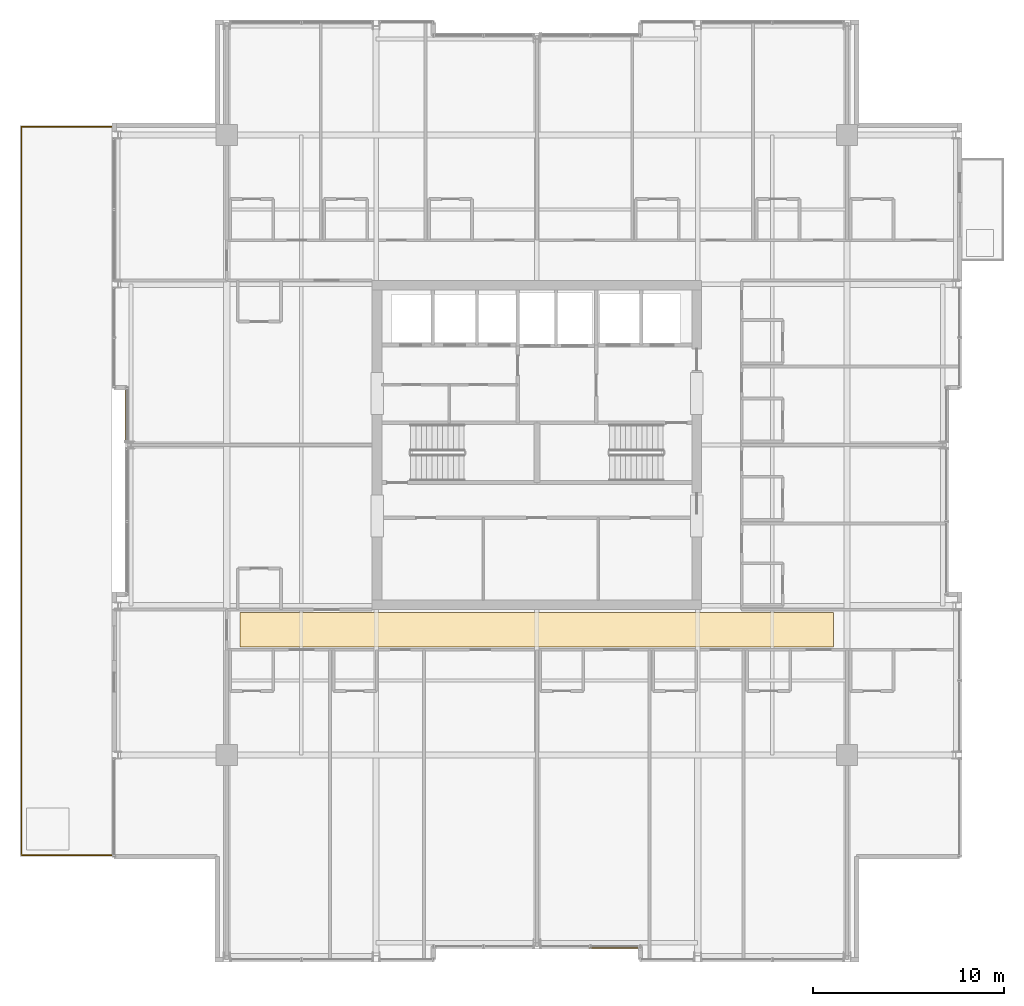
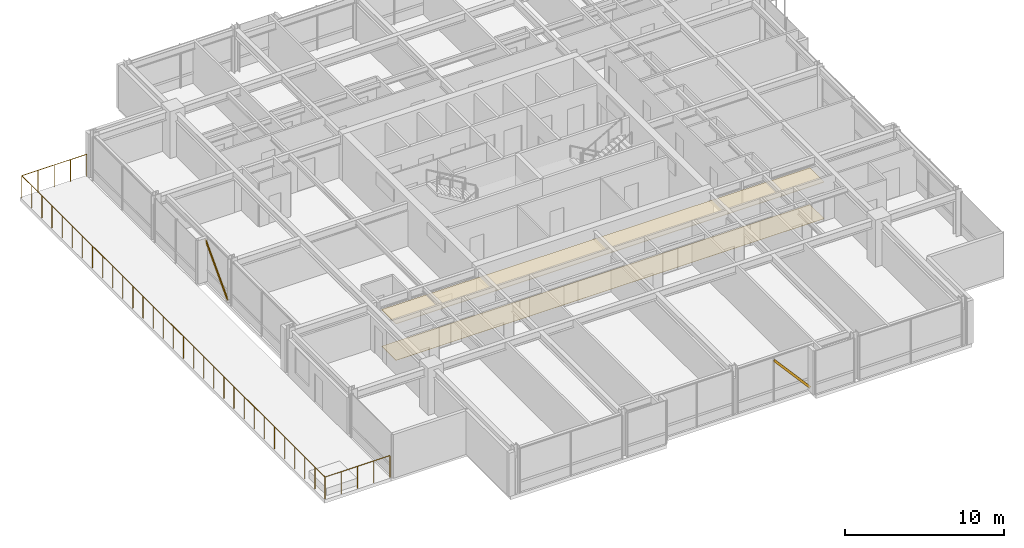
# One storey, part 30 of 32: 2 coverings, 2 shading devices, 1 railing.
"""IFC4 building model written with IfcOpenShell, lengths in metres."""

from ifc_helpers import new_model, si_unit, direction, frame, origin, origin_2d, place, context, subcontext, project, spatial, polyline, hollow_rectangle, circle, outline, extrude, material, layer, layer_set, material_profile, profile_set, type_object, element, save


model = new_model("IFC4")

# Units and contexts
model_context = context("Model", 3, precision=1e-05, world=origin(), true_north=direction((0.0, 1.0)))
body_context = subcontext(model_context, "Body", "Model", "MODEL_VIEW")
ifc_project = project(units=[si_unit("LENGTHUNIT", "METRE"), si_unit("AREAUNIT", "SQUARE_METRE"), si_unit("VOLUMEUNIT", "CUBIC_METRE"), si_unit("PLANEANGLEUNIT", "RADIAN"), si_unit("MASSUNIT", "GRAM", prefix="KILO")], contexts=[model_context])

# Site, building, storey
site_placement = place(None, origin())
site = spatial("IfcSite", under=ifc_project, at=site_placement, CompositionType="ELEMENT")
building_placement = place(site_placement, origin())
building = spatial("IfcBuilding", under=site, at=building_placement, Name="Drelvath Grand Hotel", CompositionType="ELEMENT")
storey_placement = place(building_placement, frame((0.0, 0.0, 205.10009765625)))
storey = spatial("IfcBuildingStorey", under=building, at=storey_placement, Name="L53", CompositionType="ELEMENT", Elevation=205.10009765625)

# Shading devices
ifc_material_1 = material(Name="Platinum-Mist Anodised Aluminium", Category="aluminium")
ifc_material_profile = material_profile(ifc_material_1, hollow_rectangle(XDim=0.06494140625, YDim=0.159912109375, WallThickness=0.00390625, at=origin_2d()), Name="HSS160X65X4")
ifc_profile_set = profile_set([ifc_material_profile], Name="Platinum-Mist Anodised Aluminium")
shading_device_type = type_object("IfcShadingDeviceType", Name="Diagonal Solar Fin Platinum Anodised HSS160X65X4", PredefinedType="USERDEFINED", material=ifc_profile_set)
shading_device_1_placement = place(storey_placement, frame((-21.47998046875, 27.185302734375, 0.179931640625), z_axis=(0.0, 0.686658509865, 0.726980117218), x_axis=(-1.0, 0.0, 0.0)))
element("IfcShadingDevice", 1, at=shading_device_1_placement, inside=storey, type_object=shading_device_type, Name="L53 Diagonal Anodised Fin CW05-L53-WM2", ObjectType="FIN", PredefinedType="USERDEFINED", context=body_context, shape_type="SweptSolid", body=[
    extrude(hollow_rectangle(XDim=0.06494140625, YDim=0.159912109375, WallThickness=0.00390625, at=origin_2d()), origin(), (0.0, 0.0, 1.0), 4.09912109375),
])
shading_device_2_placement = place(storey_placement, frame((5.39990234375, 0.719970703125, 0.179931640625), z_axis=(-0.658460954074, 0.0, 0.752614889542), x_axis=(0.0, -1.0, 0.0)))
element("IfcShadingDevice", 2, at=shading_device_2_placement, inside=storey, type_object=shading_device_type, Name="L53 Diagonal Anodised Fin CW05-L53-SM2", ObjectType="FIN", PredefinedType="USERDEFINED", context=body_context, shape_type="SweptSolid", body=[
    extrude(hollow_rectangle(XDim=0.06494140625, YDim=0.159912109375, WallThickness=0.00390625, at=origin_2d()), origin(), (0.0, 0.0, 1.0), 3.95947265625),
])

# Coverings
ifc_material_2 = material(Name="Woven Wool Broadloom Carpet")
ifc_layer_1 = layer(ifc_material_2, 0.01806640625)
ifc_layer_set_1 = layer_set([ifc_layer_1], Name="Woven Wool Broadloom Carpet")
covering_type_1 = type_object("IfcCoveringType", Name="Hospitality Broadloom Carpet 18", PredefinedType="FLOORING", material=ifc_layer_set_1)
covering_1_placement = place(storey_placement, origin())
element("IfcCovering", 3, at=covering_1_placement, inside=storey, type_object=covering_type_1, Name="L53 Upper Gallery Carpet", PredefinedType="FLOORING", context=body_context, shape_type="SweptSolid", body=[
    extrude(outline(polyline([(15.5, 16.449951171875), (15.5, 18.25), (-15.5, 18.25), (-15.5, 16.449951171875), (15.5, 16.449951171875)])), origin(), (0.0, 0.0, 1.0), 0.017822265625),
])
ifc_material_3 = material(Name="Anodised Aluminium Alloy", Category="aluminium")
ifc_layer_2 = layer(ifc_material_3, 0.0400390625)
ifc_layer_set_2 = layer_set([ifc_layer_2], Name="Anodised Aluminium Alloy")
covering_type_2 = type_object("IfcCoveringType", Name="Perforated Metal Corridor Ceiling 40", PredefinedType="CEILING", material=ifc_layer_set_2)
covering_2_placement = place(storey_placement, frame((0.0, 0.0, 2.789794921875)))
element("IfcCovering", 4, at=covering_2_placement, inside=storey, type_object=covering_type_2, Name="L53 Upper Gallery Ceiling", PredefinedType="CEILING", context=body_context, shape_type="SweptSolid", body=[
    extrude(outline(polyline([(15.5, 16.449951171875), (15.5, 18.25), (-15.5, 18.25), (-15.5, 16.449951171875), (15.5, 16.449951171875)])), origin(), (0.0, 0.0, 1.0), 0.0400390625),
])

# Railing
ifc_material_4 = material(Name="Anodised Aluminium and Laminated Glass Balustrade", Category="aluminium")
railing_type = type_object("IfcRailingType", Name="Raised Planter Edge Balustrade 1700", PredefinedType="BALUSTRADE", material=ifc_material_4)
railing_placement = place(storey_placement, frame((-22.219970703125, 5.580078125, 0.0)))
element("IfcRailing", 5, at=railing_placement, inside=storey, type_object=railing_type, Name="L53 Setback Terrace Perimeter Balustrade 1", PredefinedType="BALUSTRADE", context=body_context, shape_type="SweptSolid", body=[
    extrude(circle(Radius=0.02392578125, at=origin_2d()), frame((0.0, 0.0, 1.67578125), z_axis=(-1.0, 0.0, 0.0), x_axis=(0.0, -1.0, 0.0)), (0.0, 0.0, 1.0), 4.699951171875),
    extrude(circle(Radius=0.02392578125, at=origin_2d()), frame((-4.699951171875, 0.0, 1.67578125), z_axis=(0.0, 1.0, 0.0), x_axis=(-1.0, 0.0, 0.0)), (0.0, 0.0, 1.0), 38.0400390625),
    extrude(circle(Radius=0.02392578125, at=origin_2d()), frame((-4.699951171875, 38.0400390625, 1.67578125), z_axis=(1.0, 0.0, 0.0), x_axis=(0.0, 1.0, 0.0)), (0.0, 0.0, 1.0), 4.699951171875),
    extrude(circle(Radius=0.02099609375, at=origin_2d()), origin(), (0.0, 0.0, 1.0), 1.65185546875),
    extrude(circle(Radius=0.02099609375, at=origin_2d()), frame((-1.175048828125, 0.0, 0.0)), (0.0, 0.0, 1.0), 1.65185546875),
    extrude(circle(Radius=0.02099609375, at=origin_2d()), frame((-2.35009765625, 0.0, 0.0)), (0.0, 0.0, 1.0), 1.65185546875),
    extrude(circle(Radius=0.02099609375, at=origin_2d()), frame((-3.52490234375, 0.0, 0.0)), (0.0, 0.0, 1.0), 1.65185546875),
    extrude(circle(Radius=0.02099609375, at=origin_2d()), frame((-4.699951171875, 0.0, 0.0)), (0.0, 0.0, 1.0), 1.65185546875),
    extrude(circle(Radius=0.02099609375, at=origin_2d()), frame((-4.699951171875, 1.26806640625, 0.0)), (0.0, 0.0, 1.0), 1.65185546875),
    extrude(circle(Radius=0.02099609375, at=origin_2d()), frame((-4.699951171875, 2.535888671875, 0.0)), (0.0, 0.0, 1.0), 1.65185546875),
    extrude(circle(Radius=0.02099609375, at=origin_2d()), frame((-4.699951171875, 3.803955078125, 0.0)), (0.0, 0.0, 1.0), 1.65185546875),
    extrude(circle(Radius=0.02099609375, at=origin_2d()), frame((-4.699951171875, 5.072021484375, 0.0)), (0.0, 0.0, 1.0), 1.65185546875),
    extrude(circle(Radius=0.02099609375, at=origin_2d()), frame((-4.699951171875, 6.340087890625, 0.0)), (0.0, 0.0, 1.0), 1.65185546875),
    extrude(circle(Radius=0.02099609375, at=origin_2d()), frame((-4.699951171875, 7.60791015625, 0.0)), (0.0, 0.0, 1.0), 1.65185546875),
    extrude(circle(Radius=0.02099609375, at=origin_2d()), frame((-4.699951171875, 8.8759765625, 0.0)), (0.0, 0.0, 1.0), 1.65185546875),
    extrude(circle(Radius=0.02099609375, at=origin_2d()), frame((-4.699951171875, 10.14404296875, 0.0)), (0.0, 0.0, 1.0), 1.65185546875),
    extrude(circle(Radius=0.02099609375, at=origin_2d()), frame((-4.699951171875, 11.412109375, 0.0)), (0.0, 0.0, 1.0), 1.65185546875),
    extrude(circle(Radius=0.02099609375, at=origin_2d()), frame((-4.699951171875, 12.679931640625, 0.0)), (0.0, 0.0, 1.0), 1.65185546875),
    extrude(circle(Radius=0.02099609375, at=origin_2d()), frame((-4.699951171875, 13.947998046875, 0.0)), (0.0, 0.0, 1.0), 1.65185546875),
    extrude(circle(Radius=0.02099609375, at=origin_2d()), frame((-4.699951171875, 15.216064453125, 0.0)), (0.0, 0.0, 1.0), 1.65185546875),
    extrude(circle(Radius=0.02099609375, at=origin_2d()), frame((-4.699951171875, 16.484130859375, 0.0)), (0.0, 0.0, 1.0), 1.65185546875),
    extrude(circle(Radius=0.02099609375, at=origin_2d()), frame((-4.699951171875, 17.751953125, 0.0)), (0.0, 0.0, 1.0), 1.65185546875),
    extrude(circle(Radius=0.02099609375, at=origin_2d()), frame((-4.699951171875, 19.02001953125, 0.0)), (0.0, 0.0, 1.0), 1.65185546875),
    extrude(circle(Radius=0.02099609375, at=origin_2d()), frame((-4.699951171875, 20.2880859375, 0.0)), (0.0, 0.0, 1.0), 1.65185546875),
    extrude(circle(Radius=0.02099609375, at=origin_2d()), frame((-4.699951171875, 21.555908203125, 0.0)), (0.0, 0.0, 1.0), 1.65185546875),
    extrude(circle(Radius=0.02099609375, at=origin_2d()), frame((-4.699951171875, 22.823974609375, 0.0)), (0.0, 0.0, 1.0), 1.65185546875),
    extrude(circle(Radius=0.02099609375, at=origin_2d()), frame((-4.699951171875, 24.092041015625, 0.0)), (0.0, 0.0, 1.0), 1.65185546875),
    extrude(circle(Radius=0.02099609375, at=origin_2d()), frame((-4.699951171875, 25.360107421875, 0.0)), (0.0, 0.0, 1.0), 1.65185546875),
    extrude(circle(Radius=0.02099609375, at=origin_2d()), frame((-4.699951171875, 26.6279296875, 0.0)), (0.0, 0.0, 1.0), 1.65185546875),
    extrude(circle(Radius=0.02099609375, at=origin_2d()), frame((-4.699951171875, 27.89599609375, 0.0)), (0.0, 0.0, 1.0), 1.65185546875),
    extrude(circle(Radius=0.02099609375, at=origin_2d()), frame((-4.699951171875, 29.1640625, 0.0)), (0.0, 0.0, 1.0), 1.65185546875),
    extrude(circle(Radius=0.02099609375, at=origin_2d()), frame((-4.699951171875, 30.43212890625, 0.0)), (0.0, 0.0, 1.0), 1.65185546875),
    extrude(circle(Radius=0.02099609375, at=origin_2d()), frame((-4.699951171875, 31.699951171875, 0.0)), (0.0, 0.0, 1.0), 1.65185546875),
    extrude(circle(Radius=0.02099609375, at=origin_2d()), frame((-4.699951171875, 32.968017578125, 0.0)), (0.0, 0.0, 1.0), 1.65185546875),
    extrude(circle(Radius=0.02099609375, at=origin_2d()), frame((-4.699951171875, 34.236083984375, 0.0)), (0.0, 0.0, 1.0), 1.65185546875),
    extrude(circle(Radius=0.02099609375, at=origin_2d()), frame((-4.699951171875, 35.504150390625, 0.0)), (0.0, 0.0, 1.0), 1.65185546875),
    extrude(circle(Radius=0.02099609375, at=origin_2d()), frame((-4.699951171875, 36.77197265625, 0.0)), (0.0, 0.0, 1.0), 1.65185546875),
    extrude(circle(Radius=0.02099609375, at=origin_2d()), frame((-4.699951171875, 38.0400390625, 0.0)), (0.0, 0.0, 1.0), 1.65185546875),
    extrude(circle(Radius=0.02099609375, at=origin_2d()), frame((-3.52490234375, 38.0400390625, 0.0)), (0.0, 0.0, 1.0), 1.65185546875),
    extrude(circle(Radius=0.02099609375, at=origin_2d()), frame((-2.35009765625, 38.0400390625, 0.0)), (0.0, 0.0, 1.0), 1.65185546875),
    extrude(circle(Radius=0.02099609375, at=origin_2d()), frame((-1.175048828125, 38.0400390625, 0.0)), (0.0, 0.0, 1.0), 1.65185546875),
    extrude(circle(Radius=0.02099609375, at=origin_2d()), frame((0.0, 38.0400390625, 0.0)), (0.0, 0.0, 1.0), 1.65185546875),
])

save(model, "model.ifc")
